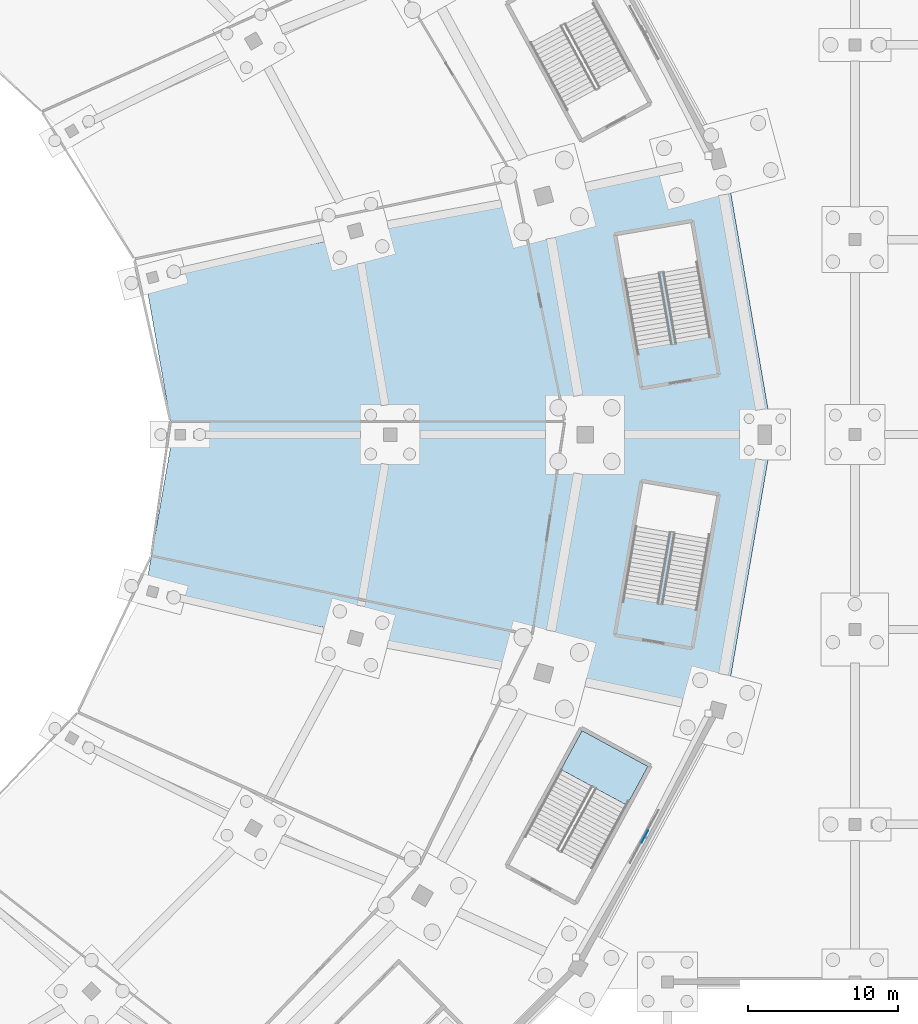
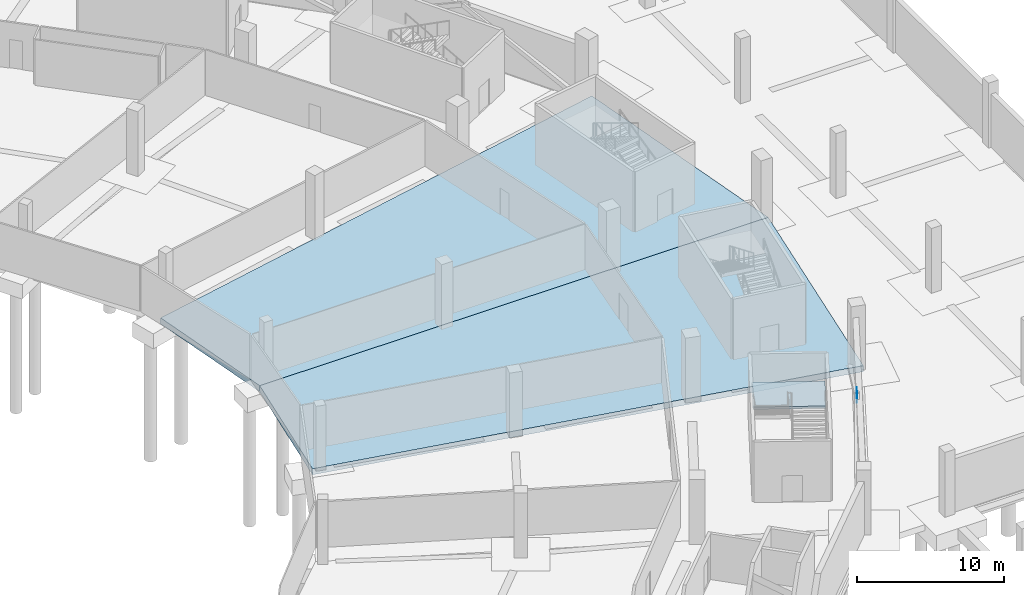
# One storey, part 21 of 74: 3 slabs, 1 plate, 1 element without a shape of its own.
"""IFC4 building model written with IfcOpenShell, lengths in metres."""

from ifc_helpers import new_model, si_unit, direction, frame, origin, origin_2d, place, context, subcontext, project, spatial, polyline, rectangle, outline, extrude, material, layer, layer_set, type_object, element, aggregate, save


model = new_model("IFC4")

# Units and contexts
model_context = context("Model", 3, precision=1e-05, world=origin(), true_north=direction((0.0, 1.0)))
body_context = subcontext(model_context, "Body", "Model", "MODEL_VIEW")
ifc_project = project(units=[si_unit("LENGTHUNIT", "METRE"), si_unit("AREAUNIT", "SQUARE_METRE"), si_unit("VOLUMEUNIT", "CUBIC_METRE"), si_unit("PLANEANGLEUNIT", "RADIAN"), si_unit("MASSUNIT", "GRAM", prefix="KILO")], contexts=[model_context])

# Site, building, storey
site_placement = place(None, origin())
site = spatial("IfcSite", under=ifc_project, at=site_placement, CompositionType="ELEMENT")
building_placement = place(site_placement, origin())
building = spatial("IfcBuilding", under=site, at=building_placement, Name="Zlatoyarsky Gate Stadium", CompositionType="ELEMENT")
storey_placement = place(building_placement, frame((0.0, 0.0, -5.39990234375)))
storey = spatial("IfcBuildingStorey", under=building, at=storey_placement, Name="B1", CompositionType="ELEMENT", Elevation=-5.39990234375)

# Slabs
ifc_material_1 = material(Name="Concrete C35/45", Category="concrete")
ifc_layer_1 = layer(ifc_material_1, 0.5)
ifc_layer_set_1 = layer_set([ifc_layer_1], Name="Concrete C35/45")
slab_type_1 = type_object("IfcSlabType", Name="CONCRETE BASE SLAB 500", PredefinedType="BASESLAB", material=ifc_layer_set_1)
slab_1_placement = place(storey_placement, frame((0.0, 0.0, -0.5)))
element("IfcSlab", 1, at=slab_1_placement, inside=storey, type_object=slab_type_1, Name="B1 bowl sector 00 slab", PredefinedType="BASESLAB", context=body_context, shape_type="SweptSolid", body=[
    extrude(outline(polyline([(162.677001953125, 90.352783203125), (201.314208984375, 98.505615234375), (204.5, 80.0), (164.5, 80.0), (162.677001953125, 90.352783203125)])), origin(), (0.0, 0.0, 1.0), 0.5),
])
slab_2_placement = place(storey_placement, frame((0.0, 0.0, -0.5)))
element("IfcSlab", 2, at=slab_2_placement, inside=storey, type_object=slab_type_1, Name="B1 bowl sector 23 slab", PredefinedType="BASESLAB", context=body_context, shape_type="SweptSolid", body=[
    extrude(outline(polyline([(164.5, 80.0), (204.5, 80.0), (201.314208984375, 61.494384765625), (162.677001953125, 69.647216796875), (164.5, 80.0)])), origin(), (0.0, 0.0, 1.0), 0.5),
])

# Stair, slab
ifc_material_2 = material(Name="Concrete C40/50", Category="concrete")
stair_type = type_object("IfcStairType", Name="CONCRETE DOGLEG EXIT STAIR H5400", PredefinedType="TWO_STRAIGHT_RUN_STAIR", material=ifc_material_2)
stair_placement = place(storey_placement, origin())
stair = element("IfcStair", 3, at=stair_placement, inside=storey, type_object=stair_type, Name="B1 Exit Stair ST-12", PredefinedType="TWO_STRAIGHT_RUN_STAIR")
ifc_layer_2 = layer(ifc_material_2, 0.199951171875)
ifc_layer_set_2 = layer_set([ifc_layer_2], Name="Concrete C40/50")
slab_type_2 = type_object("IfcSlabType", Name="CONCRETE STAIR LANDING SLAB 200", PredefinedType="LANDING", material=ifc_layer_set_2)
slab_3_placement = place(storey_placement, frame((0.0, 0.0, 2.5)))
slab_3 = element("IfcSlab", 4, at=slab_3_placement, type_object=slab_type_2, Name="ST-DG54 landing 1", PredefinedType="LANDING", context=body_context, shape_type="SweptSolid", body=[
    extrude(outline(polyline([(194.7919921875, 55.273193359375), (196.19873046875, 57.8662109375), (191.803955078125, 60.250732421875), (190.397216796875, 57.65771484375), (194.7919921875, 55.273193359375)])), origin(), (0.0, 0.0, 1.0), 0.199951171875),
])
aggregate(stair, [slab_3])

# Plate
ifc_material_3 = material(Name="Steel S355", Category="steel")
ifc_layer_3 = layer(ifc_material_3, 0.02001953125)
ifc_layer_set_3 = layer_set([ifc_layer_3], Name="Steel S355")
plate_type = type_object("IfcPlateType", Name="STEEL BRACE GUSSET PLATE 20", PredefinedType="USERDEFINED", material=ifc_layer_set_3)
plate_placement = place(storey_placement, frame((195.992431640625, 53.166748046875, 4.155029296875), z_axis=(0.0, 0.0, 1.0), x_axis=(0.476890560212, 0.878962680425, 0.0)))
element("IfcPlate", 5, at=plate_placement, inside=storey, type_object=plate_type, Name="Chevron brace gusset plate ND-BR1 8", ObjectType="GUSSET PLATE", PredefinedType="USERDEFINED", context=body_context, shape_type="SweptSolid", body=[
    extrude(rectangle(XDim=0.89990234375, YDim=0.02001953125, at=origin_2d()), origin(), (0.0, 0.0, 1.0), 0.64990234375),
])

save(model, "model.ifc")
